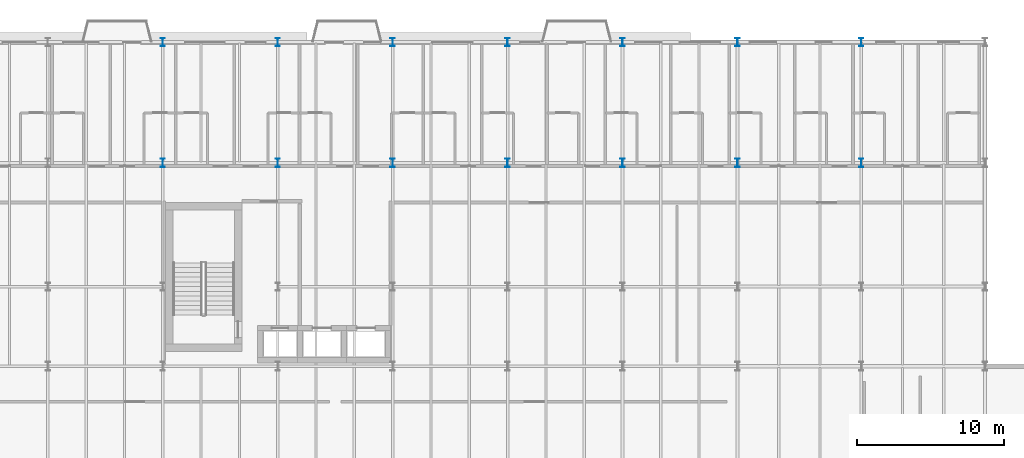
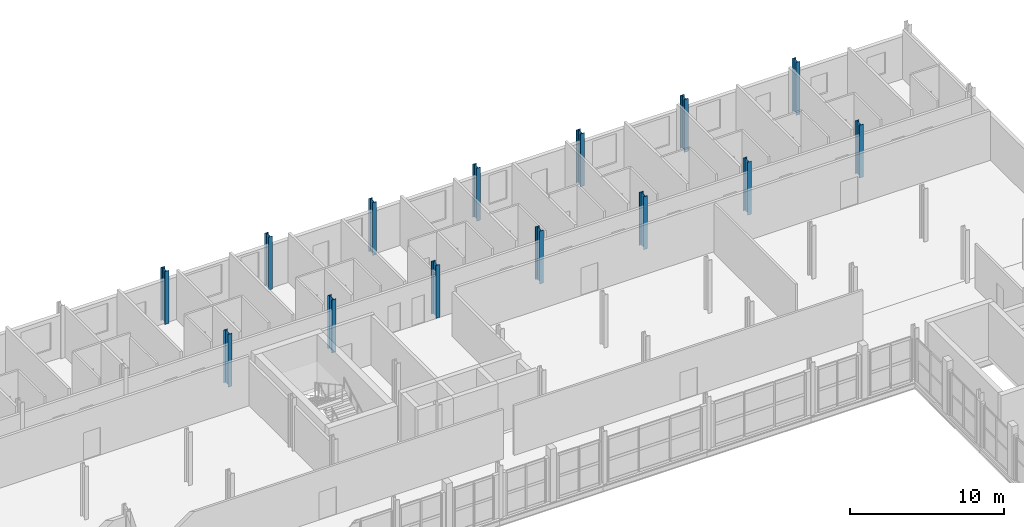
# One storey, part 8 of 45: 14 columns.
"""IFC4 building model written with IfcOpenShell, lengths in metres."""

from ifc_helpers import new_model, si_unit, direction, frame, origin, origin_2d, place, context, subcontext, project, spatial, i_section, extrude, material, material_profile, profile_set, type_object, element, save


model = new_model("IFC4")

# Units and contexts
model_context = context("Model", 3, precision=1e-05, world=origin(), true_north=direction((0.0, 1.0)))
body_context = subcontext(model_context, "Body", "Model", "MODEL_VIEW")
ifc_project = project(units=[si_unit("LENGTHUNIT", "METRE"), si_unit("AREAUNIT", "SQUARE_METRE"), si_unit("VOLUMEUNIT", "CUBIC_METRE"), si_unit("PLANEANGLEUNIT", "RADIAN"), si_unit("MASSUNIT", "GRAM", prefix="KILO")], contexts=[model_context])

# Site, building, storey
site_placement = place(None, origin())
site = spatial("IfcSite", under=ifc_project, at=site_placement, CompositionType="ELEMENT")
building_placement = place(site_placement, origin())
building = spatial("IfcBuilding", under=site, at=building_placement, Name="Sefraquen Railside Congress Hotel", CompositionType="ELEMENT")
storey_placement = place(building_placement, frame((0.0, 0.0, 20.39990234375)))
storey = spatial("IfcBuildingStorey", under=building, at=storey_placement, Name="L04", CompositionType="ELEMENT", Elevation=20.39990234375)

# Columns
ifc_material = material(Name="Steel S355JR", Category="steel")
ifc_material_profile_1 = material_profile(ifc_material, i_section(OverallWidth=0.300048828125, OverallDepth=0.550048828125, WebThickness=0.014892578125, FlangeThickness=0.029052734375, FilletRadius=0.027099609375, at=origin_2d()), Name="HEB 550")
ifc_profile_set_1 = profile_set([ifc_material_profile_1], Name="Steel S355JR")
column_type_1 = type_object("IfcColumnType", Name="TC-HEB-550", PredefinedType="COLUMN", material=ifc_profile_set_1)
for number, where, z_axis, x_axis, name in (
    (1, (64.199951171875, 118.0, 0.0), (0.0, 0.0, 1.0), (1.0, 0.0, 0.0), "Structural column 9-Q L04"),
    (2, (72.0, 118.0, 0.0), (0.0, 0.0, 1.0), (1.0, 0.0, 0.0), "Structural column 10-Q L04"),
    (3, (79.800048828125, 118.0, 0.0), (0.0, 0.0, 1.0), (1.0, 0.0, 0.0), "Structural column 11-Q L04"),
    (4, (87.60009765625, 118.0, 0.0), (0.0, 0.0, 1.0), (1.0, 0.0, 0.0), "Structural column 12-Q L04"),
    (5, (95.39990234375, 118.0, 0.0), (0.0, 0.0, 1.0), (1.0, 0.0, 0.0), "Structural column 13-Q L04"),
    (6, (103.199951171875, 118.0, 0.0), (0.0, 0.0, 1.0), (1.0, 0.0, 0.0), "Structural column 14-Q L04"),
    (7, (111.60009765625, 118.0, 0.0), (0.0, 0.0, 1.0), (1.0, 0.0, 0.0), "Structural column 15-Q L04"),
):
    element("IfcColumn", number, at=place(storey_placement, frame(where, z_axis=z_axis, x_axis=x_axis)), inside=storey, type_object=column_type_1, Name=name, PredefinedType="COLUMN", context=body_context, shape_type="SweptSolid", body=[
        extrude(i_section(OverallWidth=0.300048828125, OverallDepth=0.550048828125, WebThickness=0.014892578125, FlangeThickness=0.029052734375, FilletRadius=0.027099609375, at=origin_2d()), origin(), (0.0, 0.0, 1.0), 4.2001953125),
    ])
ifc_material_profile_2 = material_profile(ifc_material, i_section(OverallWidth=0.300048828125, OverallDepth=0.60009765625, WebThickness=0.015380859375, FlangeThickness=0.030029296875, FilletRadius=0.027099609375, at=origin_2d()), Name="HEB 600")
ifc_profile_set_2 = profile_set([ifc_material_profile_2], Name="Steel S355JR")
column_type_2 = type_object("IfcColumnType", Name="TC-HEB-600", PredefinedType="COLUMN", material=ifc_profile_set_2)
for number, where, z_axis, x_axis, name in (
    (8, (64.199951171875, 109.800048828125, 0.0), (0.0, 0.0, 1.0), (1.0, 0.0, 0.0), "Structural column 9-P L04"),
    (9, (72.0, 109.800048828125, 0.0), (0.0, 0.0, 1.0), (1.0, 0.0, 0.0), "Structural column 10-P L04"),
    (10, (79.800048828125, 109.800048828125, 0.0), (0.0, 0.0, 1.0), (1.0, 0.0, 0.0), "Structural column 11-P L04"),
    (11, (87.60009765625, 109.800048828125, 0.0), (0.0, 0.0, 1.0), (1.0, 0.0, 0.0), "Structural column 12-P L04"),
    (12, (95.39990234375, 109.800048828125, 0.0), (0.0, 0.0, 1.0), (1.0, 0.0, 0.0), "Structural column 13-P L04"),
    (13, (103.199951171875, 109.800048828125, 0.0), (0.0, 0.0, 1.0), (1.0, 0.0, 0.0), "Structural column 14-P L04"),
    (14, (111.60009765625, 109.800048828125, 0.0), (0.0, 0.0, 1.0), (1.0, 0.0, 0.0), "Structural column 15-P L04"),
):
    element("IfcColumn", number, at=place(storey_placement, frame(where, z_axis=z_axis, x_axis=x_axis)), inside=storey, type_object=column_type_2, Name=name, PredefinedType="COLUMN", context=body_context, shape_type="SweptSolid", body=[
        extrude(i_section(OverallWidth=0.300048828125, OverallDepth=0.60009765625, WebThickness=0.015380859375, FlangeThickness=0.030029296875, FilletRadius=0.027099609375, at=origin_2d()), origin(), (0.0, 0.0, 1.0), 4.2001953125),
    ])

save(model, "model.ifc")
